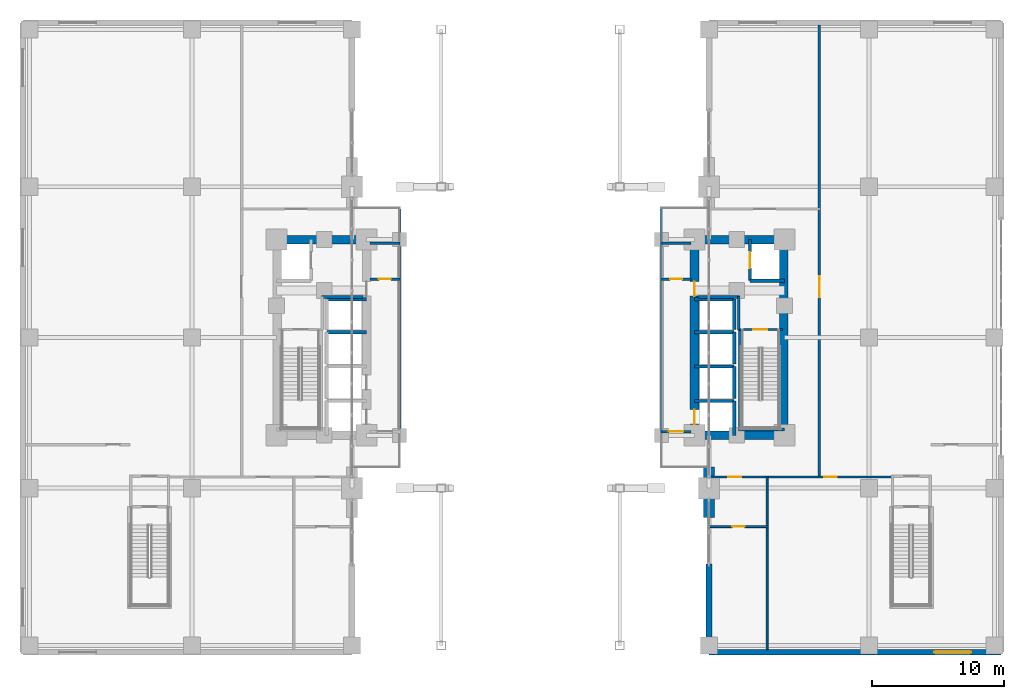
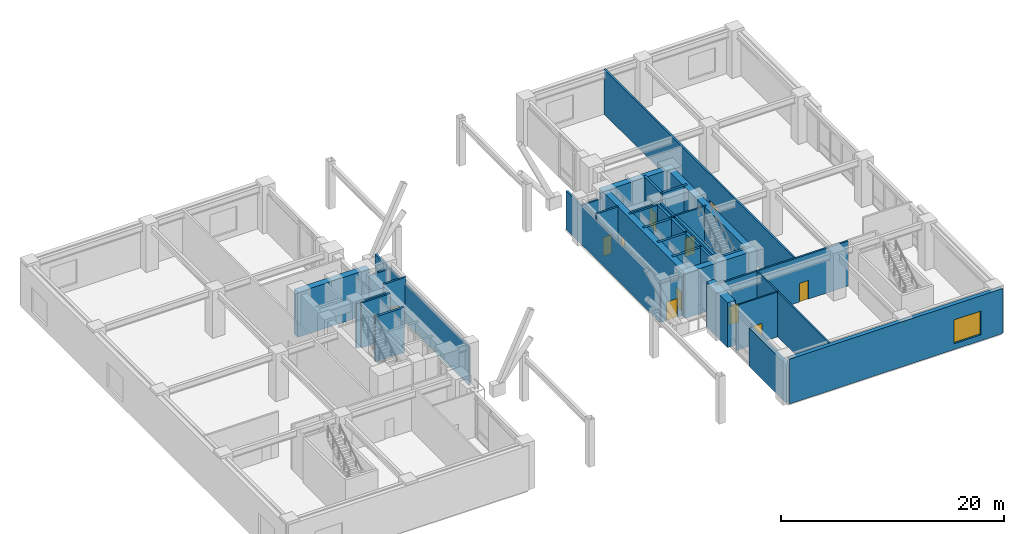
# One storey, part 20 of 26: 37 walls, 11 doors, 1 window, 12 openings.
"""IFC4 building model written with IfcOpenShell, lengths in metres."""

import ifcopenshell
import ifcopenshell.guid

model = None  # the IFC model being written
_history = None  # IfcOwnerHistory: only IFC2X3 demands one
_inside = {}  # id of a spatial element -> (the spatial element, [elements in it])
_under = {}  # id of a project, library or spatial element -> (it, [spatial elements below it])
_declared = {}  # id of a project -> (the project, [libraries it declares])
_typed = {}  # id of a type object -> (the type object, [elements of that type])
_made_of = {}  # id of a material, layer set ... -> (it, [elements and type objects made of it])


def new_model(schema):
    """Start an empty IFC model of exactly this schema.

    Asked for "IFC4X3", IfcOpenShell would pick the latest addendum, in which some entities
    have other attributes; the version numbers below select the first issue.
    IFC2X3 requires an IfcOwnerHistory on every rooted entity: one is made here for all.
    """
    global model, _history
    if schema == "IFC4X3":
        model = ifcopenshell.file(schema_version=(4, 3, 0, 0))
    else:
        model = ifcopenshell.file(schema=schema)
    _inside.clear()
    _under.clear()
    _declared.clear()
    _typed.clear()
    _made_of.clear()
    _history = None
    if model.schema == "IFC2X3":
        org = make("IfcOrganization", Name="unknown")
        user = make(
            "IfcPersonAndOrganization",
            ThePerson=make("IfcPerson", FamilyName="unknown"),
            TheOrganization=org,
        )
        app = make(
            "IfcApplication",
            ApplicationDeveloper=org,
            Version="unknown",
            ApplicationFullName="unknown",
            ApplicationIdentifier="unknown",
        )
        _history = make(
            "IfcOwnerHistory",
            OwningUser=user,
            OwningApplication=app,
            ChangeAction="ADDED",
            CreationDate=0,
        )
    return model


def make(cls, **values):
    """One entity of the class cls with the attributes given. An attribute that is None is left unset."""
    return model.create_entity(
        cls, **{name: value for name, value in values.items() if value is not None}
    )


def rooted(cls, **values):
    """An entity with a GlobalId (a new one), such as an element, a storey or a relation."""
    return make(cls, GlobalId=ifcopenshell.guid.new(), OwnerHistory=_history, **values)


def si_unit(unit_type, name, prefix=None):
    """IfcSIUnit, for example si_unit("LENGTHUNIT", "METRE", prefix="MILLI")."""
    return make("IfcSIUnit", UnitType=unit_type, Prefix=prefix, Name=name)


def assignment(units):
    """IfcUnitAssignment: the units of a project."""
    return None if units is None else make("IfcUnitAssignment", Units=units)


def point(xyz):
    """IfcCartesianPoint."""
    return None if xyz is None else make("IfcCartesianPoint", Coordinates=xyz)


def direction(xyz):
    """IfcDirection."""
    return None if xyz is None else make("IfcDirection", DirectionRatios=xyz)


def frame(location, z_axis=None, x_axis=None):
    """IfcAxis2Placement3D, a coordinate frame: its origin and axes. An axis left out is left unset."""
    return make(
        "IfcAxis2Placement3D",
        Location=point(location),
        Axis=direction(z_axis),
        RefDirection=direction(x_axis),
    )


def frame_2d(location, x_axis=None):
    """IfcAxis2Placement2D, a coordinate frame in the plane: its origin and x axis."""
    return make(
        "IfcAxis2Placement2D", Location=point(location), RefDirection=direction(x_axis)
    )


def origin():
    """The frame at (0, 0, 0) with its axes left unset."""
    return frame((0.0, 0.0, 0.0))


def place(relative_to, where):
    """IfcLocalPlacement: puts the frame where relative to a parent placement (None: the world)."""
    return make(
        "IfcLocalPlacement", PlacementRelTo=relative_to, RelativePlacement=where
    )


def context(
    kind, dimensions, precision=None, world=None, true_north=None, identifier=None
):
    """IfcGeometricRepresentationContext, for example the 3D "Model" context."""
    return make(
        "IfcGeometricRepresentationContext",
        ContextIdentifier=identifier,
        ContextType=kind,
        CoordinateSpaceDimension=dimensions,
        Precision=precision,
        WorldCoordinateSystem=world,
        TrueNorth=true_north,
    )


def subcontext(parent, identifier, kind, view, scale=None):
    """IfcGeometricRepresentationSubContext, for example "Body" below "Model"."""
    return make(
        "IfcGeometricRepresentationSubContext",
        ContextIdentifier=identifier,
        ContextType=kind,
        ParentContext=parent,
        TargetScale=scale,
        TargetView=view,
    )


def project(units=None, contexts=None):
    """IfcProject with its units and contexts."""
    return rooted(
        "IfcProject",
        Name="project",
        RepresentationContexts=contexts,
        UnitsInContext=assignment(units),
    )


def spatial(cls, under=None, at=None, **own):
    """A site, building, storey or space (cls), placed at a placement, below another one or the project."""
    s = rooted(cls, ObjectPlacement=at, **own)
    if under is not None:
        _under.setdefault(under.id(), (under, []))[1].append(s)
    return s


def profile(cls, at=None, kind="AREA", **sizes):
    """A parametric profile (cls). Its sizes go by their IFC names, for example OverallWidth=200.0."""
    return make(cls, ProfileType=kind, Position=at, **sizes)


def rectangle(**sizes):
    """IfcRectangleProfileDef."""
    return profile("IfcRectangleProfileDef", **sizes)


def extrude(swept, where, along, depth):
    """IfcExtrudedAreaSolid: the profile swept, set in the frame where, extruded along a direction by depth."""
    return make(
        "IfcExtrudedAreaSolid",
        SweptArea=swept,
        Position=where,
        ExtrudedDirection=direction(along),
        Depth=depth,
    )


def shape(context_of_items, identifier, shape_type, items):
    """IfcShapeRepresentation: the items that make up one representation, for example the "Body"."""
    return make(
        "IfcShapeRepresentation",
        ContextOfItems=context_of_items,
        RepresentationIdentifier=identifier,
        RepresentationType=shape_type,
        Items=items,
    )


def material(Name=None, Category=None):
    """IfcMaterial."""
    return make("IfcMaterial", Name=Name, Category=Category)


def layer(
    of_material, thickness, ventilated=None, Name=None, Category=None, Priority=None
):
    """IfcMaterialLayer: one layer of a wall or slab, of a material (None: an air gap)."""
    return make(
        "IfcMaterialLayer",
        Material=of_material,
        LayerThickness=thickness,
        IsVentilated=ventilated,
        Name=Name,
        Category=Category,
        Priority=Priority,
    )


def layer_set(layers, Name=None):
    """IfcMaterialLayerSet."""
    return make("IfcMaterialLayerSet", MaterialLayers=layers, LayerSetName=Name)


def made_of(thing, what):
    """Note that an element or type object is made of a material, layer set ...; save() writes the relation."""
    if what is not None:
        _made_of.setdefault(what.id(), (what, []))[1].append(thing)
    return thing


def type_object(cls, material=None, **own):
    """A type object (cls), such as IfcWallType, which elements share."""
    return made_of(rooted(cls, **own), material)


def element(
    cls,
    number,
    at=None,
    inside=None,
    cuts=None,
    type_object=None,
    material=None,
    context=None,
    identifier="Body",
    shape_type=None,
    held_by="IfcProductDefinitionShape",
    body=None,
    shapes=None,
    **own,
):
    """One element of the class cls, such as IfcWall. Its Tag is "e" and its number.

    at: its placement. inside: the storey or other place that contains it. cuts: it is an
    opening in that element (IfcRelVoidsElement). A single representation is given by context,
    identifier, shape_type and body (its items); several are given by shapes. held_by: the class
    of the entity that holds the representations. save() writes the other relations.
    """
    e = rooted(cls, Tag="e%d" % number, ObjectPlacement=at, **own)
    if body is not None:
        shapes = [shape(context, identifier, shape_type, body)]
    if shapes is not None:
        e.Representation = make(held_by, Representations=shapes)
    if inside is not None:
        _inside.setdefault(inside.id(), (inside, []))[1].append(e)
    if cuts is not None:
        rooted(
            "IfcRelVoidsElement", RelatingBuildingElement=cuts, RelatedOpeningElement=e
        )
    if type_object is not None:
        _typed.setdefault(type_object.id(), (type_object, []))[1].append(e)
    return made_of(e, material)


def fill(opening, filler):
    """IfcRelFillsElement: the door or window that sits in an opening."""
    return rooted(
        "IfcRelFillsElement",
        RelatingOpeningElement=opening,
        RelatedBuildingElement=filler,
    )


def aggregate(whole, parts):
    """IfcRelAggregates: a whole, such as a stair, and the parts it consists of."""
    return rooted("IfcRelAggregates", RelatingObject=whole, RelatedObjects=parts)


def save(model, path):
    """Write the relations noted so far, then the file.

    IfcRelAggregates (storeys below a building ...), IfcRelContainedInSpatialStructure (elements
    in a storey), IfcRelDefinesByType, IfcRelAssociatesMaterial and IfcRelDeclares: one each for
    every whole, place, type object, material and project.
    """
    for whole, parts in _under.values():
        aggregate(whole, parts)
    for where, things in _inside.values():
        rooted(
            "IfcRelContainedInSpatialStructure",
            RelatedElements=things,
            RelatingStructure=where,
        )
    for kind, things in _typed.values():
        rooted("IfcRelDefinesByType", RelatedObjects=things, RelatingType=kind)
    for what, things in _made_of.values():
        rooted("IfcRelAssociatesMaterial", RelatedObjects=things, RelatingMaterial=what)
    for by, libraries in _declared.values():
        rooted("IfcRelDeclares", RelatingContext=by, RelatedDefinitions=libraries)
    model.write(path)


model = new_model("IFC4")

# Units and contexts
model_context = context("Model", 3, precision=1e-05, world=origin(), true_north=direction((0.0, 1.0)))
body_context = subcontext(model_context, "Body", "Model", "MODEL_VIEW")
ifc_project = project(units=[si_unit("LENGTHUNIT", "METRE"), si_unit("AREAUNIT", "SQUARE_METRE"), si_unit("VOLUMEUNIT", "CUBIC_METRE"), si_unit("PLANEANGLEUNIT", "RADIAN"), si_unit("MASSUNIT", "GRAM", prefix="KILO")], contexts=[model_context])

# Site, building, storey
site_placement = place(None, origin())
site = spatial("IfcSite", under=ifc_project, at=site_placement, CompositionType="ELEMENT")
building_placement = place(site_placement, origin())
building = spatial("IfcBuilding", under=site, at=building_placement, Name="Voryun Gate Residences", CompositionType="ELEMENT")
storey_placement = place(building_placement, frame((0.0, 0.0, 10.39990234375)))
storey = spatial("IfcBuildingStorey", under=building, at=storey_placement, Name="L02", CompositionType="ELEMENT", Elevation=10.39990234375)

# Walls
ifc_material_1 = material(Name="Concrete C60/75", Category="concrete")
ifc_layer_1 = layer(ifc_material_1, 0.64990234375, Name="CW_CORE_650")
ifc_layer_set_1 = layer_set([ifc_layer_1], Name="Concrete C60/75")
wall_type_1 = type_object("IfcWallType", Name="CW_CORE_650", PredefinedType="SHEAR", material=ifc_layer_set_1)
for number, where, z_axis, x_axis, name in (
    (1, (-19.52490234375, 7.39990234375, 0.0), (0.0, 0.0, 1.0), (1.0, 0.0, 0.0), "L02 Core shear wall CW-L02-WN"),
    (2, (12.074951171875, -7.39990234375, 0.0), (0.0, 0.0, 1.0), (1.0, 0.0, 0.0), "L02 Core shear wall CW-L02-ES"),
    (3, (12.074951171875, 7.39990234375, 0.0), (0.0, 0.0, 1.0), (1.0, 0.0, 0.0), "L02 Core shear wall CW-L02-EN"),
):
    element("IfcWall", number, at=place(storey_placement, frame(where, z_axis=z_axis, x_axis=x_axis)), inside=storey, type_object=wall_type_1, Name=name, PredefinedType="SHEAR", context=body_context, shape_type="SweptSolid", body=[
        extrude(rectangle(XDim=7.449951171875, YDim=0.64990234375, at=frame_2d((3.72509765625, 0.0))), origin(), (0.0, 0.0, 1.0), 4.920166015625),
    ])

# Wall, openings, doors
wall_1_placement = place(storey_placement, frame((12.39990234375, -7.39990234375, 0.0), z_axis=(0.0, 0.0, 1.0), x_axis=(0.0, 1.0, 0.0)))
wall_1 = element("IfcWall", 4, at=wall_1_placement, inside=storey, type_object=wall_type_1, Name="L02 Core shear wall CW-L02-EW", PredefinedType="SHEAR", context=body_context, shape_type="SweptSolid", body=[
    extrude(rectangle(XDim=14.7998046875, YDim=0.64990234375, at=frame_2d((7.39990234375, 0.0))), origin(), (0.0, 0.0, 1.0), 4.920166015625),
])
opening_1_placement = place(wall_1_placement, frame((0.85009765625, 0.0, 0.0)))
opening_1 = element("IfcOpeningElement", 5, at=opening_1_placement, cuts=wall_1, Name="Opening LD2", PredefinedType="OPENING", context=body_context, shape_type="SweptSolid", body=[
    extrude(rectangle(XDim=1.10009765625, YDim=2.050048828125, at=frame_2d((0.550048828125, 1.02490234375))), frame((0.0, 0.3349609375, 0.0), z_axis=(0.0, -1.0, 0.0), x_axis=(1.0, 0.0, 0.0)), (0.0, 0.0, 1.0), 0.669921875),
])
opening_2_placement = place(wall_1_placement, frame((10.530029296875, 0.0, 0.0)))
opening_2 = element("IfcOpeningElement", 6, at=opening_2_placement, cuts=wall_1, Name="Opening D-FD60-2", PredefinedType="OPENING", context=body_context, shape_type="SweptSolid", body=[
    extrude(rectangle(XDim=1.10009765625, YDim=2.050048828125, at=frame_2d((0.550048828125, 1.02490234375))), frame((0.0, 0.3349609375, 0.0), z_axis=(0.0, -1.0, 0.0), x_axis=(1.0, 0.0, 0.0)), (0.0, 0.0, 1.0), 0.669921875),
])
ifc_material_2 = material(Name="Painted steel fire door", Category="steel")
door_type_1 = type_object("IfcDoorType", Name="DR_FD60_FFLOB_1100", OperationType="NOTDEFINED", PredefinedType="DOOR", material=ifc_material_2)
door_1_placement = place(opening_2_placement, origin())
door_1 = element("IfcDoor", 7, at=door_1_placement, inside=storey, type_object=door_type_1, Name="Door DR-L02-CLOB-E", OperationType="SINGLE_SWING_RIGHT", OverallHeight=2.050048828125, OverallWidth=1.10009765625, PredefinedType="DOOR", context=body_context, shape_type="SweptSolid", body=[
    extrude(rectangle(XDim=1.10009765625, YDim=2.050048828125, at=frame_2d((0.550048828125, 1.02490234375))), frame((0.0, 0.02490234375, 0.0), z_axis=(0.0, -1.0, 0.0), x_axis=(1.0, 0.0, 0.0)), (0.0, 0.0, 1.0), 0.050048828125),
])
fill(opening_2, door_1)
ifc_material_3 = material(Name="Anodised aluminium", Category="aluminium")
door_type_2 = type_object("IfcDoorType", Name="DR_LD_PASS_1100", OperationType="NOTDEFINED", PredefinedType="DOOR", material=ifc_material_3)
door_2_placement = place(opening_1_placement, origin())
door_2 = element("IfcDoor", 8, at=door_2_placement, inside=storey, type_object=door_type_2, Name="Lift EL-P3 sliding landing door L02", OperationType="SLIDING_TO_LEFT", OverallHeight=2.050048828125, OverallWidth=1.10009765625, PredefinedType="DOOR", context=body_context, shape_type="SweptSolid", body=[
    extrude(rectangle(XDim=1.10009765625, YDim=2.050048828125, at=frame_2d((0.550048828125, 1.02490234375))), frame((0.0, 0.02490234375, 0.0), z_axis=(0.0, -1.0, 0.0), x_axis=(1.0, 0.0, 0.0)), (0.0, 0.0, 1.0), 0.050048828125),
])
fill(opening_1, door_2)

# Walls
wall_2_placement = place(storey_placement, frame((19.14501953125, -7.39990234375, 0.0), z_axis=(0.0, 0.0, 1.0), x_axis=(0.0, 1.0, 0.0)))
element("IfcWall", 9, at=wall_2_placement, inside=storey, type_object=wall_type_1, Name="L02 Core shear wall CW-L02-EE", PredefinedType="SHEAR", context=body_context, shape_type="SweptSolid", body=[
    extrude(rectangle(XDim=14.7998046875, YDim=0.64990234375, at=frame_2d((7.39990234375, 0.0))), origin(), (0.0, 0.0, 1.0), 4.920166015625),
])
ifc_material_4 = material(Name="Concrete C60/75", Category="concrete")
ifc_layer_2 = layer(ifc_material_4, 0.800048828125, Name="W_ARCH_PIER_800")
ifc_layer_set_2 = layer_set([ifc_layer_2], Name="Concrete C60/75")
wall_type_2 = type_object("IfcWallType", Name="W_ARCH_PIER_800", PredefinedType="SOLIDWALL", material=ifc_layer_set_2)
wall_3_placement = place(storey_placement, frame((13.5, -13.60009765625, 0.0), z_axis=(0.0, 0.0, 1.0), x_axis=(0.0, 1.0, 0.0)))
element("IfcWall", 10, at=wall_3_placement, inside=storey, type_object=wall_type_2, Name="L02 Parabolic arch pier wall ES", PredefinedType="SOLIDWALL", context=body_context, shape_type="SweptSolid", body=[
    extrude(rectangle(XDim=3.800048828125, YDim=0.800048828125, at=frame_2d((1.89990234375, 0.0))), origin(), (0.0, 0.0, 1.0), 4.920166015625),
])
ifc_material_5 = material(Name="Gypsum acoustic fireboard")
ifc_layer_3 = layer(ifc_material_5, 0.179931640625, Name="W_CORR_RATED_180")
ifc_layer_set_3 = layer_set([ifc_layer_3], Name="Gypsum acoustic fireboard")
wall_type_3 = type_object("IfcWallType", Name="W_CORR_RATED_180", PredefinedType="PARTITIONING", material=ifc_layer_set_3)
wall_4_placement = place(storey_placement, frame((-12.14990234375, 7.1201171875, 0.0), z_axis=(0.0, 0.0, 1.0), x_axis=(1.0, 0.0, 0.0)))
element("IfcWall", 11, at=wall_4_placement, inside=storey, type_object=wall_type_3, Name="Partition wall WP-L02-PLBN-W", PredefinedType="PARTITIONING", context=body_context, shape_type="SweptSolid", body=[
    extrude(rectangle(XDim=2.27001953125, YDim=0.179931640625, at=frame_2d((1.135009765625, 0.0))), origin(), (0.0, 0.0, 1.0), 4.210205078125),
])

# Wall, opening, door
wall_5_placement = place(storey_placement, frame((15.699951171875, 0.60009765625, 0.0), z_axis=(0.0, 0.0, 1.0), x_axis=(1.0, 0.0, 0.0)))
wall_5 = element("IfcWall", 12, at=wall_5_placement, inside=storey, type_object=wall_type_3, Name="Partition wall WP-L02-STV-E", PredefinedType="PARTITIONING", context=body_context, shape_type="SweptSolid", body=[
    extrude(rectangle(XDim=3.360107421875, YDim=0.179931640625, at=frame_2d((1.68017578125, 0.0))), origin(), (0.0, 0.0, 1.0), 4.920166015625),
])
opening_3_placement = place(wall_5_placement, frame((1.155029296875, 0.0, 0.0)))
opening_3 = element("IfcOpeningElement", 13, at=opening_3_placement, cuts=wall_5, Name="Opening D-FD60-1", PredefinedType="OPENING", context=body_context, shape_type="SweptSolid", body=[
    extrude(rectangle(XDim=1.050048828125, YDim=2.050048828125, at=frame_2d((0.52490234375, 1.02490234375))), frame((0.0, 0.099853515625, 0.0), z_axis=(0.0, -1.0, 0.0), x_axis=(1.0, 0.0, 0.0)), (0.0, 0.0, 1.0), 0.199951171875),
])
ifc_material_6 = material(Name="Painted steel fire door", Category="steel")
door_type_3 = type_object("IfcDoorType", Name="DR_FD60_STAIR_1050", OperationType="NOTDEFINED", PredefinedType="DOOR", material=ifc_material_6)
door_3_placement = place(opening_3_placement, origin())
door_3 = element("IfcDoor", 14, at=door_3_placement, inside=storey, type_object=door_type_3, Name="Door DR-L02-ST-E", OperationType="SINGLE_SWING_RIGHT", OverallHeight=2.050048828125, OverallWidth=1.050048828125, PredefinedType="DOOR", context=body_context, shape_type="SweptSolid", body=[
    extrude(rectangle(XDim=1.050048828125, YDim=2.050048828125, at=frame_2d((0.52490234375, 1.02490234375))), frame((0.0, 0.02490234375, 0.0), z_axis=(0.0, -1.0, 0.0), x_axis=(1.0, 0.0, 0.0)), (0.0, 0.0, 1.0), 0.050048828125),
])
fill(opening_3, door_3)

# Wall
wall_6_placement = place(storey_placement, frame((9.8798828125, 7.1201171875, 0.0), z_axis=(0.0, 0.0, 1.0), x_axis=(1.0, 0.0, 0.0)))
element("IfcWall", 15, at=wall_6_placement, inside=storey, type_object=wall_type_3, Name="Partition wall WP-L02-PLBN-E", PredefinedType="PARTITIONING", context=body_context, shape_type="SweptSolid", body=[
    extrude(rectangle(XDim=2.27001953125, YDim=0.179931640625, at=frame_2d((1.135009765625, 0.0))), origin(), (0.0, 0.0, 1.0), 4.210205078125),
])

# Wall, opening, door
wall_7_placement = place(storey_placement, frame((9.8798828125, -7.1201171875, 0.0), z_axis=(0.0, 0.0, 1.0), x_axis=(1.0, 0.0, 0.0)))
wall_7 = element("IfcWall", 16, at=wall_7_placement, inside=storey, type_object=wall_type_3, Name="Partition wall WP-L02-PLBS-E", PredefinedType="PARTITIONING", context=body_context, shape_type="SweptSolid", body=[
    extrude(rectangle(XDim=2.27001953125, YDim=0.179931640625, at=frame_2d((1.135009765625, 0.0))), origin(), (0.0, 0.0, 1.0), 4.210205078125),
])
opening_4_placement = place(wall_7_placement, frame((0.5849609375, 0.0, 0.0)))
opening_4 = element("IfcOpeningElement", 17, at=opening_4_placement, cuts=wall_7, Name="Opening D-FD60-2", PredefinedType="OPENING", context=body_context, shape_type="SweptSolid", body=[
    extrude(rectangle(XDim=1.10009765625, YDim=2.050048828125, at=frame_2d((0.550048828125, 1.02490234375))), frame((0.0, 0.099853515625, 0.0), z_axis=(0.0, -1.0, 0.0), x_axis=(1.0, 0.0, 0.0)), (0.0, 0.0, 1.0), 0.199951171875),
])
door_4_placement = place(opening_4_placement, origin())
door_4 = element("IfcDoor", 18, at=door_4_placement, inside=storey, type_object=door_type_1, Name="Door DR-L02-PLBNE", OperationType="SINGLE_SWING_RIGHT", OverallHeight=2.050048828125, OverallWidth=1.10009765625, PredefinedType="DOOR", context=body_context, shape_type="SweptSolid", body=[
    extrude(rectangle(XDim=1.10009765625, YDim=2.050048828125, at=frame_2d((0.550048828125, 1.02490234375))), frame((0.0, 0.02490234375, 0.0), z_axis=(0.0, -1.0, 0.0), x_axis=(1.0, 0.0, 0.0)), (0.0, 0.0, 1.0), 0.050048828125),
])
fill(opening_4, door_4)

# Walls
for number, where, z_axis, x_axis, name in (
    (19, (-9.89990234375, -7.1201171875, 0.0), (0.0, 0.0, 1.0), (0.0, 1.0, 0.0), "Partition wall WP-L02-PLBW"),
    (20, (9.89990234375, -7.1201171875, 0.0), (0.0, 0.0, 1.0), (0.0, 1.0, 0.0), "Partition wall WP-L02-PLBE"),
):
    element("IfcWall", number, at=place(storey_placement, frame(where, z_axis=z_axis, x_axis=x_axis)), inside=storey, type_object=wall_type_3, Name=name, PredefinedType="PARTITIONING", context=body_context, shape_type="SweptSolid", body=[
        extrude(rectangle(XDim=16.820068359375, YDim=0.179931640625, at=frame_2d((8.41015625, 0.0))), origin(), (0.0, 0.0, 1.0), 4.210205078125),
    ])

# Wall, opening, door
wall_8_placement = place(storey_placement, frame((21.85009765625, -10.5, 0.0), z_axis=(0.0, 0.0, 1.0), x_axis=(0.0, 1.0, 0.0)))
wall_8 = element("IfcWall", 21, at=wall_8_placement, inside=storey, type_object=wall_type_3, Name="Partition wall WP-L02-ECE1", PredefinedType="PARTITIONING", context=body_context, shape_type="SweptSolid", body=[
    extrude(rectangle(XDim=34.1201171875, YDim=0.179931640625, at=frame_2d((17.06005859375, 0.0))), origin(), (0.0, 0.0, 1.0), 4.920166015625),
])
opening_5_placement = place(wall_8_placement, frame((13.530517578125, 0.0, 0.0)))
opening_5 = element("IfcOpeningElement", 22, at=opening_5_placement, cuts=wall_8, Name="Opening D-FD30-1", PredefinedType="OPENING", context=body_context, shape_type="SweptSolid", body=[
    extrude(rectangle(XDim=1.60009765625, YDim=2.050048828125, at=frame_2d((0.800048828125, 1.02490234375))), frame((0.0, 0.099853515625, 0.0), z_axis=(0.0, -1.0, 0.0), x_axis=(1.0, 0.0, 0.0)), (0.0, 0.0, 1.0), 0.199951171875),
])
ifc_material_7 = material(Name="Glazed aluminium fire door", Category="aluminium")
door_type_4 = type_object("IfcDoorType", Name="DR_CORR_SMOKE_1600", OperationType="NOTDEFINED", PredefinedType="DOOR", material=ifc_material_7)
door_5_placement = place(opening_5_placement, origin())
door_5 = element("IfcDoor", 23, at=door_5_placement, inside=storey, type_object=door_type_4, Name="Door DR-L02-ED1", OperationType="DOUBLE_DOOR_SINGLE_SWING", OverallHeight=2.050048828125, OverallWidth=1.60009765625, PredefinedType="DOOR", context=body_context, shape_type="SweptSolid", body=[
    extrude(rectangle(XDim=1.60009765625, YDim=2.050048828125, at=frame_2d((0.800048828125, 1.02490234375))), frame((0.0, 0.02490234375, 0.0), z_axis=(0.0, -1.0, 0.0), x_axis=(1.0, 0.0, 0.0)), (0.0, 0.0, 1.0), 0.050048828125),
])
fill(opening_5, door_5)

# Wall, openings, doors
wall_9_placement = place(storey_placement, frame((13.52001953125, -10.550048828125, 0.0), z_axis=(0.0, 0.0, 1.0), x_axis=(1.0, 0.0, 0.0)))
wall_9 = element("IfcWall", 24, at=wall_9_placement, inside=storey, type_object=wall_type_3, Name="Partition wall WP-L02-ECS2", PredefinedType="PARTITIONING", context=body_context, shape_type="SweptSolid", body=[
    extrude(rectangle(XDim=13.780029296875, YDim=0.179931640625, at=frame_2d((6.89013671875, 0.0))), origin(), (0.0, 0.0, 1.0), 4.920166015625),
])
opening_6_placement = place(wall_9_placement, frame((1.42919921875, 0.0, 0.0)))
opening_6 = element("IfcOpeningElement", 25, at=opening_6_placement, cuts=wall_9, Name="Opening D-AWC-1", PredefinedType="OPENING", context=body_context, shape_type="SweptSolid", body=[
    extrude(rectangle(XDim=1.0, YDim=2.050048828125, at=frame_2d((0.5, 1.02490234375))), frame((0.0, 0.099853515625, 0.0), z_axis=(0.0, -1.0, 0.0), x_axis=(1.0, 0.0, 0.0)), (0.0, 0.0, 1.0), 0.199951171875),
])
opening_7_placement = place(wall_9_placement, frame((8.701904296875, 0.0, 0.0)))
opening_7 = element("IfcOpeningElement", 26, at=opening_7_placement, cuts=wall_9, Name="Opening D-INT-1", PredefinedType="OPENING", context=body_context, shape_type="SweptSolid", body=[
    extrude(rectangle(XDim=0.949951171875, YDim=2.050048828125, at=frame_2d((0.47509765625, 1.02490234375))), frame((0.0, 0.099853515625, 0.0), z_axis=(0.0, -1.0, 0.0), x_axis=(1.0, 0.0, 0.0)), (0.0, 0.0, 1.0), 0.199951171875),
])
ifc_material_8 = material(Name="Architectural oak veneer")
door_type_5 = type_object("IfcDoorType", Name="DR_ACC_WC_1000", OperationType="NOTDEFINED", PredefinedType="DOOR", material=ifc_material_8)
door_6_placement = place(opening_6_placement, origin())
door_6 = element("IfcDoor", 27, at=door_6_placement, inside=storey, type_object=door_type_5, Name="Door DR-L02-EDWC", OperationType="SINGLE_SWING_LEFT", OverallHeight=2.050048828125, OverallWidth=1.0, PredefinedType="DOOR", context=body_context, shape_type="SweptSolid", body=[
    extrude(rectangle(XDim=1.0, YDim=2.050048828125, at=frame_2d((0.5, 1.02490234375))), frame((0.0, 0.02490234375, 0.0), z_axis=(0.0, -1.0, 0.0), x_axis=(1.0, 0.0, 0.0)), (0.0, 0.0, 1.0), 0.050048828125),
])
fill(opening_6, door_6)
ifc_material_9 = material(Name="Architectural oak veneer")
door_type_6 = type_object("IfcDoorType", Name="DR_INT_ROOM_950", OperationType="NOTDEFINED", PredefinedType="DOOR", material=ifc_material_9)
door_7_placement = place(opening_7_placement, origin())
door_7 = element("IfcDoor", 28, at=door_7_placement, inside=storey, type_object=door_type_6, Name="Door DR-L02-ED3", OperationType="SINGLE_SWING_RIGHT", OverallHeight=2.050048828125, OverallWidth=0.949951171875, PredefinedType="DOOR", context=body_context, shape_type="SweptSolid", body=[
    extrude(rectangle(XDim=0.949951171875, YDim=2.050048828125, at=frame_2d((0.47509765625, 1.02490234375))), frame((0.0, 0.02490234375, 0.0), z_axis=(0.0, -1.0, 0.0), x_axis=(1.0, 0.0, 0.0)), (0.0, 0.0, 1.0), 0.050048828125),
])
fill(opening_7, door_7)

# Wall, opening, window
ifc_material_10 = material(Name="Granite masonry", Category="masonry")
ifc_layer_4 = layer(ifc_material_10, 0.419921875, Name="W_EXT_PODIUM_420")
ifc_layer_set_4 = layer_set([ifc_layer_4], Name="Granite masonry")
wall_type_4 = type_object("IfcWallType", Name="W_EXT_PODIUM_420", PredefinedType="ELEMENTEDWALL", material=ifc_layer_set_4)
wall_10_placement = place(storey_placement, frame((13.5, -23.800048828125, 0.0), z_axis=(0.0, 0.0, 1.0), x_axis=(1.0, 0.0, 0.0)))
wall_10 = element("IfcWall", 29, at=wall_10_placement, inside=storey, type_object=wall_type_4, Name="Exterior wall WEP-L02-EP-1", PredefinedType="ELEMENTEDWALL", context=body_context, shape_type="SweptSolid", body=[
    extrude(rectangle(XDim=22.10009765625, YDim=0.419921875, at=frame_2d((11.050048828125, 0.0))), origin(), (0.0, 0.0, 1.0), 4.920166015625),
])
opening_8_placement = place(wall_10_placement, frame((17.01708984375, 0.0, 0.64990234375)))
opening_8 = element("IfcOpeningElement", 30, at=opening_8_placement, cuts=wall_10, Name="Opening WN5", PredefinedType="OPENING", context=body_context, shape_type="SweptSolid", body=[
    extrude(rectangle(XDim=2.800048828125, YDim=2.60009765625, at=frame_2d((1.39990234375, 1.300048828125))), frame((0.0, 0.219970703125, 0.0), z_axis=(0.0, -1.0, 0.0), x_axis=(1.0, 0.0, 0.0)), (0.0, 0.0, 1.0), 0.43994140625),
])
ifc_material_11 = material(Name="Laminated low-E glass", Category="glass")
window_type = type_object("IfcWindowType", Name="WN_POD_GALLERY_2800", PartitioningType="SINGLE_PANEL", PredefinedType="WINDOW", material=ifc_material_11)
window_placement = place(opening_8_placement, origin())
window = element("IfcWindow", 31, at=window_placement, inside=storey, type_object=window_type, Name="Window WN-L02-EP-1-03", OverallHeight=2.60009765625, OverallWidth=2.800048828125, PartitioningType="SINGLE_PANEL", PredefinedType="WINDOW", context=body_context, shape_type="SweptSolid", body=[
    extrude(rectangle(XDim=2.800048828125, YDim=2.60009765625, at=frame_2d((1.39990234375, 1.300048828125))), frame((0.0, 0.030029296875, 0.0), z_axis=(0.0, -1.0, 0.0), x_axis=(1.0, 0.0, 0.0)), (0.0, 0.0, 1.0), 0.06005859375),
])
fill(opening_8, window)

# Walls
wall_11_placement = place(storey_placement, frame((13.5, -23.800048828125, 0.0), z_axis=(0.0, 0.0, 1.0), x_axis=(0.0, 1.0, 0.0)))
element("IfcWall", 32, at=wall_11_placement, inside=storey, type_object=wall_type_4, Name="Exterior wall WEP-L02-EP-4A", PredefinedType="ELEMENTEDWALL", context=body_context, shape_type="SweptSolid", body=[
    extrude(rectangle(XDim=6.679931640625, YDim=0.419921875, at=frame_2d((3.33984375, 0.0))), origin(), (0.0, 0.0, 1.0), 4.210205078125),
])
ifc_material_12 = material(Name="Concrete C40/50", Category="concrete")
ifc_layer_5 = layer(ifc_material_12, 0.199951171875, Name="W_FF_LOBBY_200")
ifc_layer_set_5 = layer_set([ifc_layer_5], Name="Concrete C40/50")
wall_type_5 = type_object("IfcWallType", Name="W_FF_LOBBY_200", PredefinedType="PARTITIONING", material=ifc_layer_set_5)
wall_12_placement = place(storey_placement, frame((-15.820068359375, 3.06005859375, 0.0), z_axis=(0.0, 0.0, 1.0), x_axis=(1.0, 0.0, 0.0)))
element("IfcWall", 33, at=wall_12_placement, inside=storey, type_object=wall_type_5, Name="Partition wall WP-L02-FFPS-W", PredefinedType="PARTITIONING", context=body_context, shape_type="SweptSolid", body=[
    extrude(rectangle(XDim=3.16015625, YDim=0.199951171875, at=frame_2d((1.580078125, 0.0))), origin(), (0.0, 0.0, 1.0), 4.920166015625),
])

# Wall, opening, door
wall_13_placement = place(storey_placement, frame((-12.14990234375, 4.409912109375, 0.0), z_axis=(0.0, 0.0, 1.0), x_axis=(1.0, 0.0, 0.0)))
wall_13 = element("IfcWall", 34, at=wall_13_placement, inside=storey, type_object=wall_type_5, Name="Partition wall WP-L02-CSFLKS-W", PredefinedType="PARTITIONING", context=body_context, shape_type="SweptSolid", body=[
    extrude(rectangle(XDim=2.27001953125, YDim=0.199951171875, at=frame_2d((1.135009765625, 0.0))), origin(), (0.0, 0.0, 1.0), 4.920166015625),
])
opening_9_placement = place(wall_13_placement, frame((0.68505859375, 0.0, 0.0)))
opening_9 = element("IfcOpeningElement", 35, at=opening_9_placement, cuts=wall_13, Name="Opening D-FD60-4", PredefinedType="OPENING", context=body_context, shape_type="SweptSolid", body=[
    extrude(rectangle(XDim=0.89990234375, YDim=2.050048828125, at=frame_2d((0.449951171875, 1.02490234375))), frame((0.0, 0.110107421875, 0.0), z_axis=(0.0, -1.0, 0.0), x_axis=(1.0, 0.0, 0.0)), (0.0, 0.0, 1.0), 0.219970703125),
])
ifc_material_13 = material(Name="Painted steel fire door", Category="steel")
door_type_7 = type_object("IfcDoorType", Name="DR_FD60_RISER_900", OperationType="NOTDEFINED", PredefinedType="DOOR", material=ifc_material_13)
door_8_placement = place(opening_9_placement, origin())
door_8 = element("IfcDoor", 36, at=door_8_placement, inside=storey, type_object=door_type_7, Name="Door DR-L02-CSFLK-W", OperationType="SINGLE_SWING_LEFT", OverallHeight=2.050048828125, OverallWidth=0.89990234375, PredefinedType="DOOR", context=body_context, shape_type="SweptSolid", body=[
    extrude(rectangle(XDim=0.89990234375, YDim=2.050048828125, at=frame_2d((0.449951171875, 1.02490234375))), frame((0.0, 0.02490234375, 0.0), z_axis=(0.0, -1.0, 0.0), x_axis=(1.0, 0.0, 0.0)), (0.0, 0.0, 1.0), 0.050048828125),
])
fill(opening_9, door_8)

# Walls
wall_14_placement = place(storey_placement, frame((15.760009765625, 0.580078125, 0.0), z_axis=(0.0, 0.0, 1.0), x_axis=(0.0, 1.0, 0.0)))
element("IfcWall", 37, at=wall_14_placement, inside=storey, type_object=wall_type_5, Name="Partition wall WP-L02-FFP0-E", PredefinedType="PARTITIONING", context=body_context, shape_type="SweptSolid", body=[
    extrude(rectangle(XDim=2.52001953125, YDim=0.199951171875, at=frame_2d((1.260009765625, 0.0))), origin(), (0.0, 0.0, 1.0), 4.920166015625),
])
wall_15_placement = place(storey_placement, frame((12.659912109375, 3.06005859375, 0.0), z_axis=(0.0, 0.0, 1.0), x_axis=(1.0, 0.0, 0.0)))
element("IfcWall", 38, at=wall_15_placement, inside=storey, type_object=wall_type_5, Name="Partition wall WP-L02-FFPS-E", PredefinedType="PARTITIONING", context=body_context, shape_type="SweptSolid", body=[
    extrude(rectangle(XDim=3.16015625, YDim=0.199951171875, at=frame_2d((1.580078125, 0.0))), origin(), (0.0, 0.0, 1.0), 4.920166015625),
])

# Wall, opening, door
wall_16_placement = place(storey_placement, frame((9.8798828125, 4.409912109375, 0.0), z_axis=(0.0, 0.0, 1.0), x_axis=(1.0, 0.0, 0.0)))
wall_16 = element("IfcWall", 39, at=wall_16_placement, inside=storey, type_object=wall_type_5, Name="Partition wall WP-L02-CSFLKS-E", PredefinedType="PARTITIONING", context=body_context, shape_type="SweptSolid", body=[
    extrude(rectangle(XDim=2.27001953125, YDim=0.199951171875, at=frame_2d((1.135009765625, 0.0))), origin(), (0.0, 0.0, 1.0), 4.920166015625),
])
opening_10_placement = place(wall_16_placement, frame((0.68505859375, 0.0, 0.0)))
opening_10 = element("IfcOpeningElement", 40, at=opening_10_placement, cuts=wall_16, Name="Opening D-FD60-4", PredefinedType="OPENING", context=body_context, shape_type="SweptSolid", body=[
    extrude(rectangle(XDim=0.89990234375, YDim=2.050048828125, at=frame_2d((0.449951171875, 1.02490234375))), frame((0.0, 0.110107421875, 0.0), z_axis=(0.0, -1.0, 0.0), x_axis=(1.0, 0.0, 0.0)), (0.0, 0.0, 1.0), 0.219970703125),
])
door_9_placement = place(opening_10_placement, origin())
door_9 = element("IfcDoor", 41, at=door_9_placement, inside=storey, type_object=door_type_7, Name="Door DR-L02-CSFLK-E", OperationType="SINGLE_SWING_RIGHT", OverallHeight=2.050048828125, OverallWidth=0.89990234375, PredefinedType="DOOR", context=body_context, shape_type="SweptSolid", body=[
    extrude(rectangle(XDim=0.89990234375, YDim=2.050048828125, at=frame_2d((0.449951171875, 1.02490234375))), frame((0.0, 0.02490234375, 0.0), z_axis=(0.0, -1.0, 0.0), x_axis=(1.0, 0.0, 0.0)), (0.0, 0.0, 1.0), 0.050048828125),
])
fill(opening_10, door_9)

# Walls
ifc_material_14 = material(Name="Concrete C50/60", Category="concrete")
ifc_layer_6 = layer(ifc_material_14, 0.25, Name="W_SHAFT_RC250")
ifc_layer_set_6 = layer_set([ifc_layer_6], Name="Concrete C50/60")
wall_type_6 = type_object("IfcWallType", Name="W_SHAFT_RC250", PredefinedType="SOLIDWALL", material=ifc_layer_set_6)
wall_17_placement = place(storey_placement, frame((15.860107421875, -7.0849609375, 0.0), z_axis=(0.0, 0.0, 1.0), x_axis=(0.0, 1.0, 0.0)))
element("IfcWall", 42, at=wall_17_placement, inside=storey, type_object=wall_type_6, Name="L02 Stair shaft structural wall E-STL", PredefinedType="SOLIDWALL", context=body_context, shape_type="SweptSolid", body=[
    extrude(rectangle(XDim=7.68505859375, YDim=0.25, at=frame_2d((3.842529296875, 0.0))), origin(), (0.0, 0.0, 1.0), 4.920166015625),
])
wall_18_placement = place(storey_placement, frame((15.739990234375, -6.965087890625, 0.0), z_axis=(0.0, 0.0, 1.0), x_axis=(1.0, 0.0, 0.0)))
element("IfcWall", 43, at=wall_18_placement, inside=storey, type_object=wall_type_6, Name="L02 Stair shaft structural wall E-STS", PredefinedType="SOLIDWALL", context=body_context, shape_type="SweptSolid", body=[
    extrude(rectangle(XDim=3.4599609375, YDim=0.25, at=frame_2d((1.72998046875, 0.0))), origin(), (0.0, 0.0, 1.0), 4.920166015625),
])
wall_19_placement = place(storey_placement, frame((16.60009765625, 4.300048828125, 0.0), z_axis=(0.0, 0.0, 1.0), x_axis=(1.0, 0.0, 0.0)))
element("IfcWall", 44, at=wall_19_placement, inside=storey, type_object=wall_type_6, Name="Lift shaft wall WSH-L02-EL-FF-E1-S", PredefinedType="SOLIDWALL", context=body_context, shape_type="SweptSolid", body=[
    extrude(rectangle(XDim=2.599853515625, YDim=0.25, at=frame_2d((1.2998046875, 0.0))), origin(), (0.0, 0.0, 1.0), 4.920166015625),
])

# Wall, opening, door
wall_20_placement = place(storey_placement, frame((16.60009765625, 7.39990234375, 0.0), z_axis=(0.0, 0.0, 1.0), x_axis=(0.0, -1.0, 0.0)))
wall_20 = element("IfcWall", 45, at=wall_20_placement, inside=storey, type_object=wall_type_6, Name="Lift shaft wall WSH-L02-EL-FF-E1-W", PredefinedType="SOLIDWALL", context=body_context, shape_type="SweptSolid", body=[
    extrude(rectangle(XDim=3.099853515625, YDim=0.25, at=frame_2d((1.5498046875, 0.0))), origin(), (0.0, 0.0, 1.0), 4.920166015625),
])
opening_11_placement = place(wall_20_placement, frame((0.949951171875, 0.0, 0.0)))
opening_11 = element("IfcOpeningElement", 46, at=opening_11_placement, cuts=wall_20, Name="Opening LD1", PredefinedType="OPENING", context=body_context, shape_type="SweptSolid", body=[
    extrude(rectangle(XDim=1.199951171875, YDim=2.050048828125, at=frame_2d((0.60009765625, 1.02490234375))), frame((0.0, 0.135009765625, 0.0), z_axis=(0.0, -1.0, 0.0), x_axis=(1.0, 0.0, 0.0)), (0.0, 0.0, 1.0), 0.27001953125),
])
ifc_material_15 = material(Name="Anodised aluminium", Category="aluminium")
door_type_8 = type_object("IfcDoorType", Name="DR_LD_FF_1200", OperationType="NOTDEFINED", PredefinedType="DOOR", material=ifc_material_15)
door_10_placement = place(opening_11_placement, origin())
door_10 = element("IfcDoor", 47, at=door_10_placement, inside=storey, type_object=door_type_8, Name="Lift EL-FF-E1 sliding landing door L02", OperationType="SLIDING_TO_LEFT", OverallHeight=2.050048828125, OverallWidth=1.199951171875, PredefinedType="DOOR", context=body_context, shape_type="SweptSolid", body=[
    extrude(rectangle(XDim=1.199951171875, YDim=2.050048828125, at=frame_2d((0.60009765625, 1.02490234375))), frame((0.0, 0.02490234375, 0.0), z_axis=(0.0, -1.0, 0.0), x_axis=(1.0, 0.0, 0.0)), (0.0, 0.0, 1.0), 0.050048828125),
])
fill(opening_11, door_10)

# Walls
wall_21_placement = place(storey_placement, frame((15.39990234375, -7.39990234375, 0.0), z_axis=(0.0, 0.0, 1.0), x_axis=(0.0, 1.0, 0.0)))
element("IfcWall", 48, at=wall_21_placement, inside=storey, type_object=wall_type_6, Name="Lift shaft wall WSH-L02-EL-P3-E", PredefinedType="SOLIDWALL", context=body_context, shape_type="SweptSolid", body=[
    extrude(rectangle(XDim=2.599853515625, YDim=0.25, at=frame_2d((1.2998046875, 0.0))), origin(), (0.0, 0.0, 1.0), 4.920166015625),
])
for number, where, z_axis, x_axis, name in (
    (49, (15.39990234375, -4.800048828125, 0.0), (0.0, 0.0, 1.0), (-1.0, 0.0, 0.0), "Lift shaft wall WSH-L02-EL-P3-N"),
    (50, (-12.39990234375, 0.39990234375, 0.0), (0.0, 0.0, 1.0), (-1.0, 0.0, 0.0), "Lift shaft wall WSH-L02-EL-P4-N"),
):
    element("IfcWall", number, at=place(storey_placement, frame(where, z_axis=z_axis, x_axis=x_axis)), inside=storey, type_object=wall_type_6, Name=name, PredefinedType="SOLIDWALL", context=body_context, shape_type="SweptSolid", body=[
        extrude(rectangle(XDim=3.0, YDim=0.25, at=frame_2d((1.5, 0.0))), origin(), (0.0, 0.0, 1.0), 4.920166015625),
    ])
wall_22_placement = place(storey_placement, frame((15.39990234375, -4.60009765625, 0.0), z_axis=(0.0, 0.0, 1.0), x_axis=(0.0, 1.0, 0.0)))
element("IfcWall", 51, at=wall_22_placement, inside=storey, type_object=wall_type_6, Name="Lift shaft wall WSH-L02-EL-P5-E", PredefinedType="SOLIDWALL", context=body_context, shape_type="SweptSolid", body=[
    extrude(rectangle(XDim=2.400146484375, YDim=0.25, at=frame_2d((1.2001953125, 0.0))), origin(), (0.0, 0.0, 1.0), 4.920166015625),
])
wall_23_placement = place(storey_placement, frame((15.39990234375, -2.199951171875, 0.0), z_axis=(0.0, 0.0, 1.0), x_axis=(-1.0, 0.0, 0.0)))
element("IfcWall", 52, at=wall_23_placement, inside=storey, type_object=wall_type_6, Name="Lift shaft wall WSH-L02-EL-P5-N", PredefinedType="SOLIDWALL", context=body_context, shape_type="SweptSolid", body=[
    extrude(rectangle(XDim=3.0, YDim=0.25, at=frame_2d((1.5, 0.0))), origin(), (0.0, 0.0, 1.0), 4.920166015625),
])
wall_24_placement = place(storey_placement, frame((15.39990234375, -2.0, 0.0), z_axis=(0.0, 0.0, 1.0), x_axis=(0.0, 1.0, 0.0)))
element("IfcWall", 53, at=wall_24_placement, inside=storey, type_object=wall_type_6, Name="Lift shaft wall WSH-L02-EL-P6-E", PredefinedType="SOLIDWALL", context=body_context, shape_type="SweptSolid", body=[
    extrude(rectangle(XDim=2.39990234375, YDim=0.25, at=frame_2d((1.199951171875, 0.0))), origin(), (0.0, 0.0, 1.0), 4.920166015625),
])
for number, where, z_axis, x_axis, name in (
    (54, (15.39990234375, 0.39990234375, 0.0), (0.0, 0.0, 1.0), (-1.0, 0.0, 0.0), "Lift shaft wall WSH-L02-EL-P6-N"),
    (55, (-12.39990234375, 2.89990234375, 0.0), (0.0, 0.0, 1.0), (-1.0, 0.0, 0.0), "Lift shaft wall WSH-L02-EL-P7-N"),
):
    element("IfcWall", number, at=place(storey_placement, frame(where, z_axis=z_axis, x_axis=x_axis)), inside=storey, type_object=wall_type_6, Name=name, PredefinedType="SOLIDWALL", context=body_context, shape_type="SweptSolid", body=[
        extrude(rectangle(XDim=3.0, YDim=0.25, at=frame_2d((1.5, 0.0))), origin(), (0.0, 0.0, 1.0), 4.920166015625),
    ])
wall_25_placement = place(storey_placement, frame((15.39990234375, 0.60009765625, 0.0), z_axis=(0.0, 0.0, 1.0), x_axis=(0.0, 1.0, 0.0)))
element("IfcWall", 56, at=wall_25_placement, inside=storey, type_object=wall_type_6, Name="Lift shaft wall WSH-L02-EL-P8-E", PredefinedType="SOLIDWALL", context=body_context, shape_type="SweptSolid", body=[
    extrude(rectangle(XDim=2.2998046875, YDim=0.25, at=frame_2d((1.14990234375, 0.0))), origin(), (0.0, 0.0, 1.0), 4.920166015625),
])
wall_26_placement = place(storey_placement, frame((15.39990234375, 2.89990234375, 0.0), z_axis=(0.0, 0.0, 1.0), x_axis=(-1.0, 0.0, 0.0)))
element("IfcWall", 57, at=wall_26_placement, inside=storey, type_object=wall_type_6, Name="Lift shaft wall WSH-L02-EL-P8-N", PredefinedType="SOLIDWALL", context=body_context, shape_type="SweptSolid", body=[
    extrude(rectangle(XDim=3.0, YDim=0.25, at=frame_2d((1.5, 0.0))), origin(), (0.0, 0.0, 1.0), 4.920166015625),
])
ifc_material_16 = material(Name="Gypsum moisture-resistant partition")
ifc_layer_7 = layer(ifc_material_16, 0.14990234375, Name="W_WET_PLUMB_150")
ifc_layer_set_7 = layer_set([ifc_layer_7], Name="Gypsum moisture-resistant partition")
wall_type_7 = type_object("IfcWallType", Name="W_WET_PLUMB_150", PredefinedType="PLUMBINGWALL", material=ifc_layer_set_7)
wall_27_placement = place(storey_placement, frame((17.89990234375, -23.6201171875, 0.0), z_axis=(0.0, 0.0, 1.0), x_axis=(0.0, 1.0, 0.0)))
element("IfcWall", 58, at=wall_27_placement, inside=storey, type_object=wall_type_7, Name="Partition wall WP-L02-EWCD1", PredefinedType="PLUMBINGWALL", context=body_context, shape_type="SweptSolid", body=[
    extrude(rectangle(XDim=13.1201171875, YDim=0.14990234375, at=frame_2d((6.56005859375, 0.0))), origin(), (0.0, 0.0, 1.0), 4.920166015625),
])

# Wall, opening, door
wall_28_placement = place(storey_placement, frame((13.52001953125, -14.300048828125, 0.0), z_axis=(0.0, 0.0, 1.0), x_axis=(1.0, 0.0, 0.0)))
wall_28 = element("IfcWall", 59, at=wall_28_placement, inside=storey, type_object=wall_type_7, Name="Partition wall WP-L02-EWCD2", PredefinedType="PLUMBINGWALL", context=body_context, shape_type="SweptSolid", body=[
    extrude(rectangle(XDim=4.429931640625, YDim=0.14990234375, at=frame_2d((2.21484375, 0.0))), origin(), (0.0, 0.0, 1.0), 4.920166015625),
])
opening_12_placement = place(wall_28_placement, frame((1.739990234375, 0.0, 0.0)))
opening_12 = element("IfcOpeningElement", 60, at=opening_12_placement, cuts=wall_28, Name="Opening D-INT-1", PredefinedType="OPENING", context=body_context, shape_type="SweptSolid", body=[
    extrude(rectangle(XDim=0.949951171875, YDim=2.050048828125, at=frame_2d((0.47509765625, 1.02490234375))), frame((0.0, 0.0849609375, 0.0), z_axis=(0.0, -1.0, 0.0), x_axis=(1.0, 0.0, 0.0)), (0.0, 0.0, 1.0), 0.169921875),
])
door_11_placement = place(opening_12_placement, origin())
door_11 = element("IfcDoor", 61, at=door_11_placement, inside=storey, type_object=door_type_6, Name="Door DR-L02-ESTR", OperationType="SINGLE_SWING_RIGHT", OverallHeight=2.050048828125, OverallWidth=0.949951171875, PredefinedType="DOOR", context=body_context, shape_type="SweptSolid", body=[
    extrude(rectangle(XDim=0.949951171875, YDim=2.050048828125, at=frame_2d((0.47509765625, 1.02490234375))), frame((0.0, 0.02490234375, 0.0), z_axis=(0.0, -1.0, 0.0), x_axis=(1.0, 0.0, 0.0)), (0.0, 0.0, 1.0), 0.050048828125),
])
fill(opening_12, door_11)

save(model, "model.ifc")
